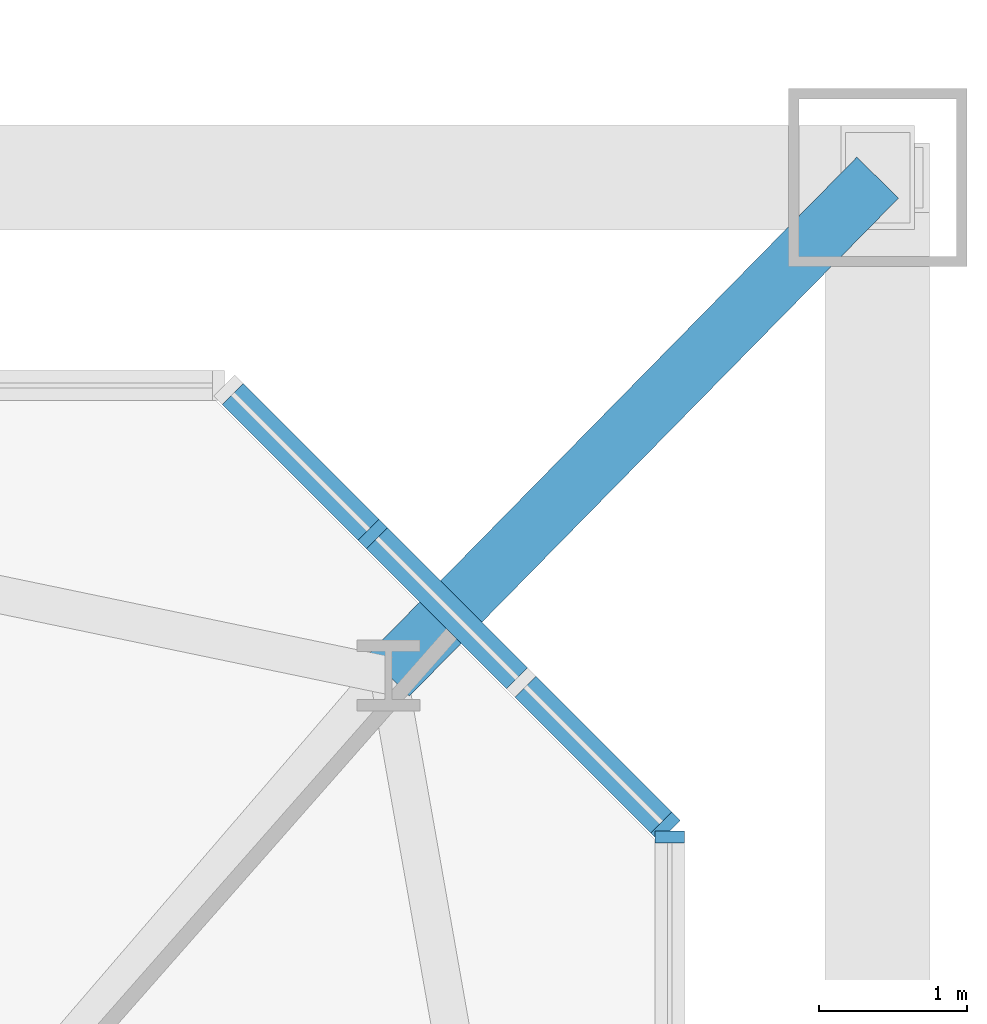
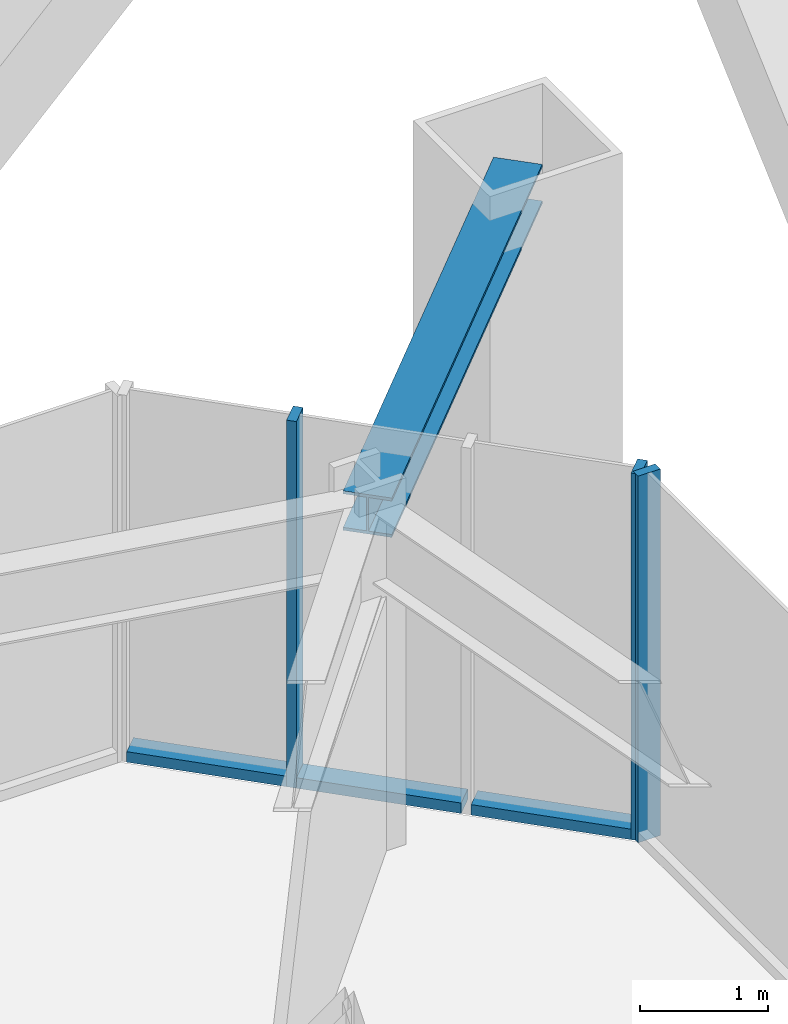
# One storey, part 12 of 27: 7 members, 2 elements without a shape of their own.
"""IFC4 building model written with IfcOpenShell, lengths in metres."""

from ifc_helpers import new_model, si_unit, direction, frame, origin, origin_2d, place, context, subcontext, project, spatial, rectangle, i_section, extrude, material, material_profile, profile_set, type_object, element, aggregate, save


model = new_model("IFC4")

# Units and contexts
model_context = context("Model", 3, precision=1e-05, world=origin(), true_north=direction((0.0, 1.0)))
body_context = subcontext(model_context, "Body", "Model", "MODEL_VIEW")
ifc_project = project(units=[si_unit("LENGTHUNIT", "METRE"), si_unit("AREAUNIT", "SQUARE_METRE"), si_unit("VOLUMEUNIT", "CUBIC_METRE"), si_unit("PLANEANGLEUNIT", "RADIAN"), si_unit("MASSUNIT", "GRAM", prefix="KILO")], contexts=[model_context])

# Site, building, storey
site_placement = place(None, origin())
site = spatial("IfcSite", under=ifc_project, at=site_placement, CompositionType="ELEMENT")
building_placement = place(site_placement, origin())
building = spatial("IfcBuilding", under=site, at=building_placement, Name="Iwan Alto Co-Living Towers", CompositionType="ELEMENT")
storey_placement = place(building_placement, frame((0.0, 0.0, 25.5)))
storey = spatial("IfcBuildingStorey", under=building, at=storey_placement, Name="L06", CompositionType="ELEMENT", Elevation=25.5)

# Curtain wall, member
ifc_material_1 = material(Name="Bronze aluminium unitised frame", Category="aluminium")
curtain_wall_type_1 = type_object("IfcCurtainWallType", Name="CURTAIN WALL CW-C", PredefinedType="NOTDEFINED", material=ifc_material_1)
curtain_wall_1_placement = place(storey_placement, origin())
curtain_wall_1 = element("IfcCurtainWall", 1, at=curtain_wall_1_placement, inside=storey, type_object=curtain_wall_type_1, Name="T2 curtain wall E L06", PredefinedType="NOTDEFINED")
ifc_material_2 = material(Name="Aluminium 6063-T6 bronze anodised", Category="aluminium")
ifc_material_profile_1 = material_profile(ifc_material_2, rectangle(XDim=0.199951171875, YDim=0.080078125, at=origin_2d()), Name="AL 80X200")
ifc_profile_set_1 = profile_set([ifc_material_profile_1], Name="Aluminium 6063-T6 bronze anodised")
member_type_1 = type_object("IfcMemberType", Name="CW-C MULLION 80X200", PredefinedType="MULLION", material=ifc_profile_set_1)
member_1_placement = place(storey_placement, frame((79.5, 15.7099609375, 0.0), z_axis=(0.0, 0.0, 1.0), x_axis=(-1.0, 0.0, 0.0)))
member_1 = element("IfcMember", 2, at=member_1_placement, type_object=member_type_1, Name="CW-C mullion 8", PredefinedType="MULLION", context=body_context, shape_type="SweptSolid", body=[
    extrude(rectangle(XDim=0.199951171875, YDim=0.080078125, at=origin_2d()), origin(), (0.0, 0.0, 1.0), 3.5),
])
aggregate(curtain_wall_1, [member_1])

# Curtain wall, members
ifc_material_3 = material(Name="Bronze aluminium unitised frame", Category="aluminium")
curtain_wall_type_2 = type_object("IfcCurtainWallType", Name="CURTAIN WALL CW-D", PredefinedType="NOTDEFINED", material=ifc_material_3)
curtain_wall_2_placement = place(storey_placement, origin())
curtain_wall_2 = element("IfcCurtainWall", 3, at=curtain_wall_2_placement, inside=storey, type_object=curtain_wall_type_2, Name="T2 chamfer curtain wall NE L06", PredefinedType="NOTDEFINED")
ifc_material_4 = material(Name="Aluminium 6063-T6 bronze anodised", Category="aluminium")
ifc_material_profile_2 = material_profile(ifc_material_4, rectangle(XDim=0.199951171875, YDim=0.080078125, at=origin_2d()), Name="AL 80X200")
ifc_profile_set_2 = profile_set([ifc_material_profile_2], Name="Aluminium 6063-T6 bronze anodised")
member_type_2 = type_object("IfcMemberType", Name="CW-D MULLION 80X200", PredefinedType="MULLION", material=ifc_profile_set_2)
member_2_placement = place(storey_placement, frame((79.4716796875, 15.7783203125, 0.0), z_axis=(0.0, 0.0, 1.0), x_axis=(-0.707106781187, -0.707106781187, 0.0)))
member_2 = element("IfcMember", 4, at=member_2_placement, type_object=member_type_2, Name="CW-D mullion 1", PredefinedType="MULLION", context=body_context, shape_type="SweptSolid", body=[
    extrude(rectangle(XDim=0.199951171875, YDim=0.080078125, at=origin_2d()), origin(), (0.0, 0.0, 1.0), 3.5),
])
member_3_placement = place(storey_placement, frame((77.5, 17.75, 0.0), z_axis=(0.0, 0.0, 1.0), x_axis=(-0.707106781187, -0.707106781187, 0.0)))
member_3 = element("IfcMember", 5, at=member_3_placement, type_object=member_type_2, Name="CW-D mullion 3", PredefinedType="MULLION", context=body_context, shape_type="SweptSolid", body=[
    extrude(rectangle(XDim=0.199951171875, YDim=0.080078125, at=origin_2d()), origin(), (0.0, 0.0, 1.0), 3.5),
])
ifc_material_5 = material(Name="Aluminium 6063-T6 bronze anodised", Category="aluminium")
ifc_material_profile_3 = material_profile(ifc_material_5, rectangle(XDim=0.199951171875, YDim=0.10009765625, at=origin_2d()), Name="AL 200X100")
ifc_profile_set_3 = profile_set([ifc_material_profile_3], Name="Aluminium 6063-T6 bronze anodised")
member_type_3 = type_object("IfcMemberType", Name="CW-D TRANSOM 200X100", PredefinedType="USERDEFINED", material=ifc_profile_set_3)
member_4_placement = place(storey_placement, frame((79.443359375, 15.806640625, 0.050048828125), z_axis=(-0.707106781187, 0.707106781187, 0.0), x_axis=(-0.707106781187, -0.707106781187, 0.0)))
member_4 = element("IfcMember", 6, at=member_4_placement, type_object=member_type_3, Name="CW-D transom 1.1", ObjectType="TRANSOM", PredefinedType="USERDEFINED", context=body_context, shape_type="SweptSolid", body=[
    extrude(rectangle(XDim=0.199951171875, YDim=0.10009765625, at=origin_2d()), origin(), (0.0, 0.0, 1.0), 1.2939453125),
])
member_5_placement = place(storey_placement, frame((78.4716796875, 16.7783203125, 0.050048828125), z_axis=(-0.707106781187, 0.707106781187, 0.0), x_axis=(-0.707106781187, -0.707106781187, 0.0)))
member_5 = element("IfcMember", 7, at=member_5_placement, type_object=member_type_3, Name="CW-D transom 2.1", ObjectType="TRANSOM", PredefinedType="USERDEFINED", context=body_context, shape_type="SweptSolid", body=[
    extrude(rectangle(XDim=0.199951171875, YDim=0.10009765625, at=origin_2d()), origin(), (0.0, 0.0, 1.0), 1.334228515625),
])
member_6_placement = place(storey_placement, frame((77.4716796875, 17.7783203125, 0.050048828125), z_axis=(-0.707106781187, 0.707106781187, 0.0), x_axis=(-0.707106781187, -0.707106781187, 0.0)))
member_6 = element("IfcMember", 8, at=member_6_placement, type_object=member_type_3, Name="CW-D transom 3.1", ObjectType="TRANSOM", PredefinedType="USERDEFINED", context=body_context, shape_type="SweptSolid", body=[
    extrude(rectangle(XDim=0.199951171875, YDim=0.10009765625, at=origin_2d()), origin(), (0.0, 0.0, 1.0), 1.2939453125),
])
aggregate(curtain_wall_2, [member_2, member_3, member_4, member_5, member_6])

# Member
ifc_material_6 = material(Name="Steel ASTM A992 Gr 50", Category="steel")
ifc_material_profile_4 = material_profile(ifc_material_6, i_section(OverallWidth=0.393798828125, OverallDepth=0.3759765625, WebThickness=0.017333984375, FlangeThickness=0.027587890625, at=origin_2d()), Name="W14X145")
ifc_profile_set_4 = profile_set([ifc_material_profile_4], Name="Steel ASTM A992 Gr 50")
member_type_4 = type_object("IfcMemberType", Name="T2 MEGA COLUMN FLOOR TIE W14X145", PredefinedType="STRUT", material=ifc_profile_set_4)
member_7_placement = place(storey_placement, frame((80.89990234375, 20.14990234375, 3.08203125), z_axis=(-0.700793469544, -0.71336422187, 0.0), x_axis=(0.71336422187, -0.700793469544, 0.0)))
element("IfcMember", 9, at=member_7_placement, inside=storey, type_object=member_type_4, Name="T2 mega column floor tie NE L07", PredefinedType="STRUT", context=body_context, shape_type="SweptSolid", body=[
    extrude(i_section(OverallWidth=0.393798828125, OverallDepth=0.3759765625, WebThickness=0.017333984375, FlangeThickness=0.027587890625, at=origin_2d()), origin(), (0.0, 0.0, 1.0), 4.699951171875),
])

save(model, "model.ifc")
